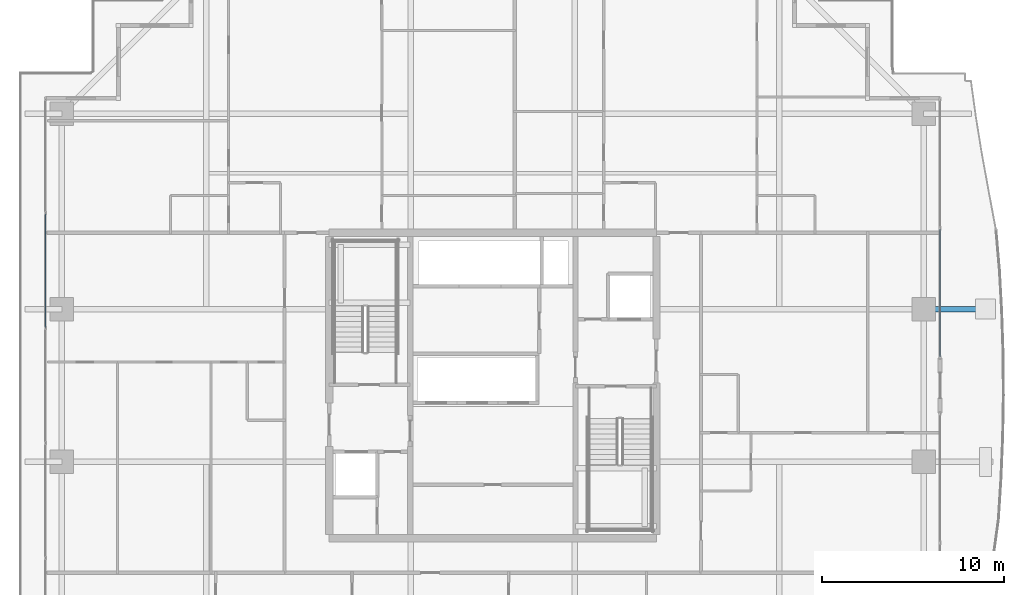
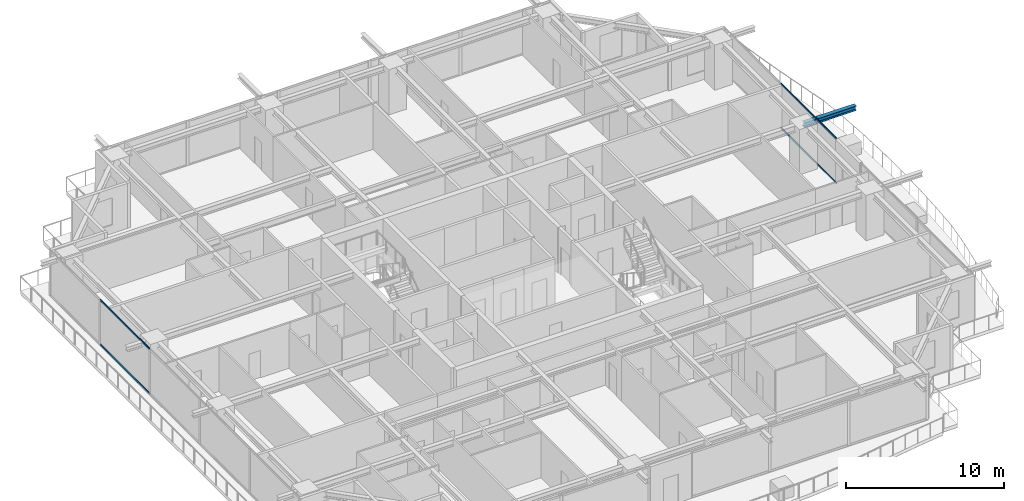
# One storey, part 15 of 36: 4 members, 1 beam, 2 elements without a shape of their own.
"""IFC4 building model written with IfcOpenShell, lengths in metres."""

from ifc_helpers import new_model, si_unit, direction, frame, origin, origin_2d, place, context, subcontext, project, spatial, hollow_rectangle, i_section, extrude, source, transform, mapped, material, layer, layer_set, material_profile, profile_set, type_object, element, aggregate, save


model = new_model("IFC4")

# Units and contexts
model_context = context("Model", 3, precision=1e-05, world=origin(), true_north=direction((0.0, 1.0)))
body_context = subcontext(model_context, "Body", "Model", "MODEL_VIEW")
ifc_project = project(units=[si_unit("LENGTHUNIT", "METRE"), si_unit("AREAUNIT", "SQUARE_METRE"), si_unit("VOLUMEUNIT", "CUBIC_METRE"), si_unit("PLANEANGLEUNIT", "RADIAN"), si_unit("MASSUNIT", "GRAM", prefix="KILO")], contexts=[model_context])

# Site, building, storey
site_placement = place(None, origin())
site = spatial("IfcSite", under=ifc_project, at=site_placement, CompositionType="ELEMENT")
building_placement = place(site_placement, origin())
building = spatial("IfcBuilding", under=site, at=building_placement, Name="Serunith Strait Residences", CompositionType="ELEMENT")
storey_placement = place(building_placement, frame((0.0, 0.0, 146.39990234375)))
storey = spatial("IfcBuildingStorey", under=building, at=storey_placement, Name="L36", CompositionType="ELEMENT", Elevation=146.39990234375)

# Beam
ifc_material_1 = material(Name="Steel S355J2", Category="steel")
ifc_material_profile_1 = material_profile(ifc_material_1, i_section(OverallWidth=0.300048828125, OverallDepth=0.360107421875, WebThickness=0.012451171875, FlangeThickness=0.0224609375, FilletRadius=0.027099609375, at=origin_2d()), Name="HEB 360")
ifc_profile_set_1 = profile_set([ifc_material_profile_1], Name="Steel S355J2")
beam_type = type_object("IfcBeamType", Name="BM-HEB360", PredefinedType="BEAM", material=ifc_profile_set_1)
shared_shape_1 = source(origin(), body_context, "Body", "SweptSolid", [
    extrude(i_section(OverallWidth=0.300048828125, OverallDepth=0.360107421875, WebThickness=0.012451171875, FlangeThickness=0.0224609375, FilletRadius=0.027099609375, at=origin_2d()), origin(), (0.0, 0.0, 1.0), 3.7998046875),
])
beam_placement = place(storey_placement, frame((56.10009765625, 29.39990234375, 3.277099609375), z_axis=(1.0, 0.0, 0.0), x_axis=(0.0, 1.0, 0.0)))
element("IfcBeam", 1, at=beam_placement, inside=storey, type_object=beam_type, Name="L37 Cantilevered Balcony Rib TC-E3", PredefinedType="BEAM", context=body_context, shape_type="MappedRepresentation", body=[
    mapped(shared_shape_1, transform((0.0, 0.0, 0.0), scale=1.0)),
])

# Curtain wall, members
ifc_material_2 = material(Name="Pale-Champagne Anodised Aluminium", Category="aluminium")
ifc_layer = layer(ifc_material_2, 0.199951171875, Name="Pale-Champagne Anodised Aluminium")
ifc_layer_set = layer_set([ifc_layer], Name="Pale-Champagne Anodised Aluminium")
curtain_wall_type = type_object("IfcCurtainWallType", Name="CW-SYS2", PredefinedType="NOTDEFINED", material=ifc_layer_set)
curtain_wall_1_placement = place(storey_placement, origin())
curtain_wall_1 = element("IfcCurtainWall", 2, at=curtain_wall_1_placement, inside=storey, type_object=curtain_wall_type, Name="L36 W Unitised Fritted Curtain Wall", PredefinedType="NOTDEFINED")
ifc_material_profile_2 = material_profile(ifc_material_2, hollow_rectangle(XDim=0.06005859375, YDim=0.139892578125, WallThickness=0.00341796875, InnerFilletRadius=0.00537109375, OuterFilletRadius=0.0087890625, at=origin_2d()), Name="ALU 140x60x3.5")
ifc_profile_set_2 = profile_set([ifc_material_profile_2], Name="Pale-Champagne Anodised Aluminium")
member_type = type_object("IfcMemberType", Name="CW-SYS2-TRAN", PredefinedType="USERDEFINED", material=ifc_profile_set_2)
shared_shape_2 = source(origin(), body_context, "Body", "SweptSolid", [
    extrude(hollow_rectangle(XDim=0.06005859375, YDim=0.139892578125, WallThickness=0.00341796875, InnerFilletRadius=0.00537109375, OuterFilletRadius=0.0087890625, at=origin_2d()), origin(), (0.0, 0.0, 1.0), 6.25),
])
member_1_placement = place(storey_placement, frame((7.800048828125, 34.64501953125, 0.030029296875), z_axis=(0.0, -1.0, 0.0), x_axis=(1.0, 0.0, 0.0)))
member_1 = element("IfcMember", 3, at=member_1_placement, type_object=member_type, Name="CW-2 transom 2.1", ObjectType="TRANSOM", PredefinedType="USERDEFINED", context=body_context, shape_type="MappedRepresentation", body=[
    mapped(shared_shape_2, transform((0.0, 0.0, 0.0), scale=1.0)),
])
member_2_placement = place(storey_placement, frame((7.800048828125, 34.64501953125, 3.445068359375), z_axis=(0.0, -1.0, 0.0), x_axis=(1.0, 0.0, 0.0)))
member_2 = element("IfcMember", 4, at=member_2_placement, type_object=member_type, Name="CW-2 transom 2.2", ObjectType="TRANSOM", PredefinedType="USERDEFINED", context=body_context, shape_type="MappedRepresentation", body=[
    mapped(shared_shape_2, transform((0.0, 0.0, 0.0), scale=1.0)),
])
aggregate(curtain_wall_1, [member_1, member_2])

curtain_wall_2_placement = place(storey_placement, origin())
curtain_wall_2 = element("IfcCurtainWall", 5, at=curtain_wall_2_placement, inside=storey, type_object=curtain_wall_type, Name="L36 E Unitised Fritted Curtain Wall", PredefinedType="NOTDEFINED")
shared_shape_3 = source(origin(), body_context, "Body", "SweptSolid", [
    extrude(hollow_rectangle(XDim=0.06005859375, YDim=0.139892578125, WallThickness=0.00341796875, InnerFilletRadius=0.00537109375, OuterFilletRadius=0.0087890625, at=origin_2d()), origin(), (0.0, 0.0, 1.0), 7.044921875),
])
member_3_placement = place(storey_placement, frame((57.0, 26.77001953125, 0.030029296875), z_axis=(0.0, 1.0, 0.0), x_axis=(-1.0, 0.0, 0.0)))
member_3 = element("IfcMember", 6, at=member_3_placement, type_object=member_type, Name="CW-2 transom 1.1", ObjectType="TRANSOM", PredefinedType="USERDEFINED", context=body_context, shape_type="MappedRepresentation", body=[
    mapped(shared_shape_3, transform((0.0, 0.0, 0.0), scale=1.0)),
])
member_4_placement = place(storey_placement, frame((57.0, 26.77001953125, 3.445068359375), z_axis=(0.0, 1.0, 0.0), x_axis=(-1.0, 0.0, 0.0)))
member_4 = element("IfcMember", 7, at=member_4_placement, type_object=member_type, Name="CW-2 transom 1.2", ObjectType="TRANSOM", PredefinedType="USERDEFINED", context=body_context, shape_type="MappedRepresentation", body=[
    mapped(shared_shape_3, transform((0.0, 0.0, 0.0), scale=1.0)),
])
aggregate(curtain_wall_2, [member_3, member_4])

save(model, "model.ifc")
